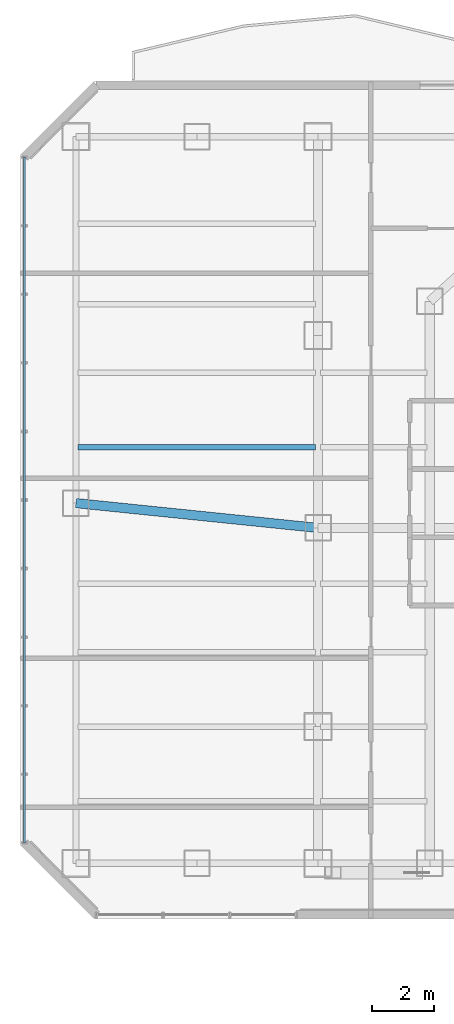
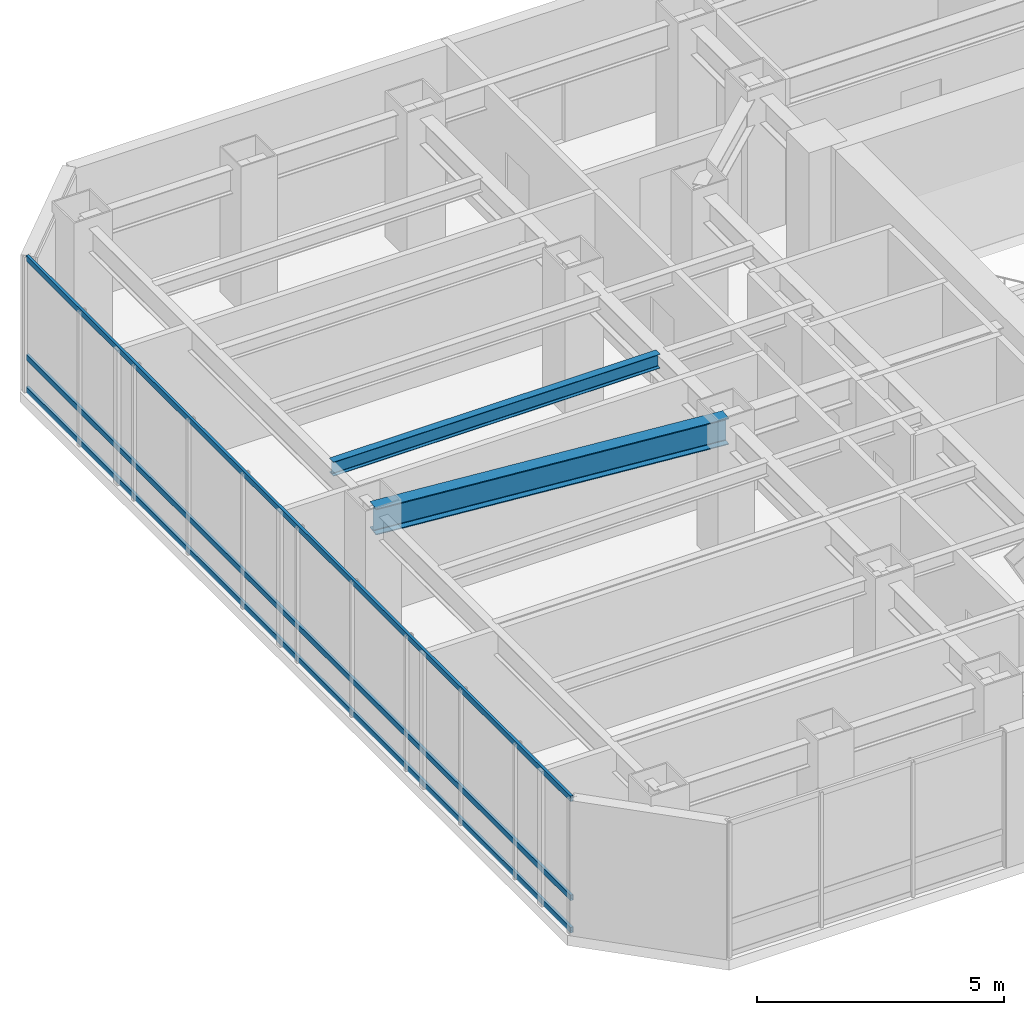
# One storey, part 14 of 31: 3 members, 2 beams, 1 element without a shape of its own.
"""IFC4 building model written with IfcOpenShell, lengths in metres."""

from ifc_helpers import new_model, si_unit, direction, frame, origin, origin_2d, place, context, subcontext, project, spatial, hollow_rectangle, i_section, extrude, material, layer, layer_set, material_profile, profile_set, type_object, element, aggregate, save


model = new_model("IFC4")

# Units and contexts
model_context = context("Model", 3, precision=1e-05, world=origin(), true_north=direction((0.0, 1.0)))
body_context = subcontext(model_context, "Body", "Model", "MODEL_VIEW")
ifc_project = project(units=[si_unit("LENGTHUNIT", "METRE"), si_unit("AREAUNIT", "SQUARE_METRE"), si_unit("VOLUMEUNIT", "CUBIC_METRE"), si_unit("PLANEANGLEUNIT", "RADIAN"), si_unit("MASSUNIT", "GRAM", prefix="KILO")], contexts=[model_context])

# Site, building, storey
site_placement = place(None, origin())
site = spatial("IfcSite", under=ifc_project, at=site_placement, CompositionType="ELEMENT")
building_placement = place(site_placement, origin())
building = spatial("IfcBuilding", under=site, at=building_placement, Name="Hatsunagi Terrace Concourse", CompositionType="ELEMENT")
storey_placement = place(building_placement, frame((0.0, 0.0, 112.050048828125)))
storey = spatial("IfcBuildingStorey", under=building, at=storey_placement, Name="L29", CompositionType="ELEMENT", Elevation=112.050048828125)

# Curtain wall, members
ifc_material_1 = material(Name="Anodised Aluminium Alloy 6063-T5", Category="aluminium")
ifc_layer = layer(ifc_material_1, 0.199951171875)
ifc_layer_set = layer_set([ifc_layer], Name="OfficeZone1_CW03")
curtain_wall_type = type_object("IfcCurtainWallType", Name="OfficeZone1_CW03", PredefinedType="NOTDEFINED", material=ifc_layer_set)
curtain_wall_placement = place(storey_placement, origin())
curtain_wall = element("IfcCurtainWall", 1, at=curtain_wall_placement, inside=storey, type_object=curtain_wall_type, Name="Unitised Curtain Wall CW-03 CW-L29-09", PredefinedType="NOTDEFINED")
ifc_material_2 = material(Name="Anodised Aluminium Alloy 6063-T5", Category="aluminium")
ifc_material_profile_1 = material_profile(ifc_material_2, hollow_rectangle(XDim=0.06494140625, YDim=0.139892578125, WallThickness=0.00390625, at=origin_2d()), Name="ALU-TRN-140x65x4")
ifc_profile_set_1 = profile_set([ifc_material_profile_1], Name="Anodised Aluminium Alloy 6063-T5")
member_type = type_object("IfcMemberType", Name="CurtainWallTransom_140x65", PredefinedType="USERDEFINED", material=ifc_profile_set_1)
member_1_placement = place(storey_placement, frame((9.739990234375, 25.85791015625, 0.050048828125), z_axis=(0.0, 1.0, 0.0), x_axis=(-1.0, 0.0, 0.0)))
member_1 = element("IfcMember", 2, at=member_1_placement, type_object=member_type, Name="Curtain Wall Transom TRN-02", ObjectType="TRANSOM", PredefinedType="USERDEFINED", context=body_context, shape_type="SweptSolid", body=[
    extrude(hollow_rectangle(XDim=0.06494140625, YDim=0.139892578125, WallThickness=0.00390625, at=origin_2d()), origin(), (0.0, 0.0, 1.0), 22.083984375),
])
member_2_placement = place(storey_placement, frame((9.739990234375, 25.85791015625, 0.849853515625), z_axis=(0.0, 1.0, 0.0), x_axis=(-1.0, 0.0, 0.0)))
member_2 = element("IfcMember", 3, at=member_2_placement, type_object=member_type, Name="Curtain Wall Transom TRN-02", ObjectType="TRANSOM", PredefinedType="USERDEFINED", context=body_context, shape_type="SweptSolid", body=[
    extrude(hollow_rectangle(XDim=0.06494140625, YDim=0.139892578125, WallThickness=0.00390625, at=origin_2d()), origin(), (0.0, 0.0, 1.0), 22.083984375),
])
member_3_placement = place(storey_placement, frame((9.739990234375, 25.85791015625, 3.300048828125), z_axis=(0.0, 1.0, 0.0), x_axis=(-1.0, 0.0, 0.0)))
member_3 = element("IfcMember", 4, at=member_3_placement, type_object=member_type, Name="Curtain Wall Transom TRN-02", ObjectType="TRANSOM", PredefinedType="USERDEFINED", context=body_context, shape_type="SweptSolid", body=[
    extrude(hollow_rectangle(XDim=0.06494140625, YDim=0.139892578125, WallThickness=0.00390625, at=origin_2d()), origin(), (0.0, 0.0, 1.0), 22.083984375),
])
aggregate(curtain_wall, [member_1, member_2, member_3])

# Beams
ifc_material_3 = material(Name="Steel SN490B", Category="steel")
ifc_material_profile_2 = material_profile(ifc_material_3, i_section(OverallWidth=0.175048828125, OverallDepth=0.35009765625, WebThickness=0.007080078125, FlangeThickness=0.010986328125, FilletRadius=0.012939453125, at=origin_2d()), Name="H-350x175x7x11")
ifc_profile_set_2 = profile_set([ifc_material_profile_2], Name="Steel SN490B")
beam_type_1 = type_object("IfcBeamType", Name="HotelJoist_H_350x175", PredefinedType="JOIST", material=ifc_profile_set_2)
beam_1_placement = place(storey_placement, frame((11.465087890625, 38.60009765625, 3.175048828125), z_axis=(1.0, 0.0, 0.0), x_axis=(0.0, 1.0, 0.0)))
element("IfcBeam", 5, at=beam_1_placement, inside=storey, type_object=beam_type_1, Name="Beam J-02 J-L29-W-11-386", PredefinedType="JOIST", context=body_context, shape_type="SweptSolid", body=[
    extrude(i_section(OverallWidth=0.175048828125, OverallDepth=0.35009765625, WebThickness=0.007080078125, FlangeThickness=0.010986328125, FilletRadius=0.012939453125, at=origin_2d()), origin(), (0.0, 0.0, 1.0), 7.64990234375),
])
ifc_material_4 = material(Name="Steel SN490B", Category="steel")
ifc_material_profile_3 = material_profile(ifc_material_4, i_section(OverallWidth=0.300048828125, OverallDepth=0.64990234375, WebThickness=0.012939453125, FlangeThickness=0.02197265625, FilletRadius=0.01806640625, at=origin_2d()), Name="H-650x300x13x22")
ifc_profile_set_3 = profile_set([ifc_material_profile_3], Name="Steel SN490B")
beam_type_2 = type_object("IfcBeamType", Name="OfficeLowGirder_H_650x300", PredefinedType="BEAM", material=ifc_profile_set_3)
beam_2_placement = place(storey_placement, frame((11.39990234375, 36.800048828125, 3.02490234375), z_axis=(0.994780871372, -0.102034395927, 0.0), x_axis=(0.102034395927, 0.994780871372, 0.0)))
element("IfcBeam", 6, at=beam_2_placement, inside=storey, type_object=beam_type_2, Name="Beam G-05 BM-L29-EW-2", PredefinedType="BEAM", context=body_context, shape_type="SweptSolid", body=[
    extrude(i_section(OverallWidth=0.300048828125, OverallDepth=0.64990234375, WebThickness=0.012939453125, FlangeThickness=0.02197265625, FilletRadius=0.01806640625, at=origin_2d()), origin(), (0.0, 0.0, 1.0), 7.841064453125),
])

save(model, "model.ifc")
